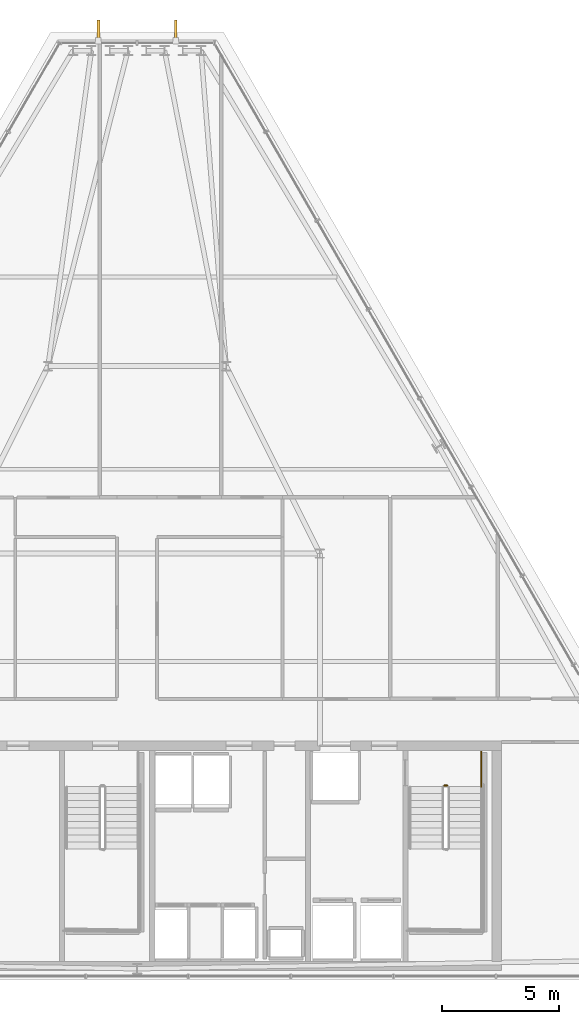
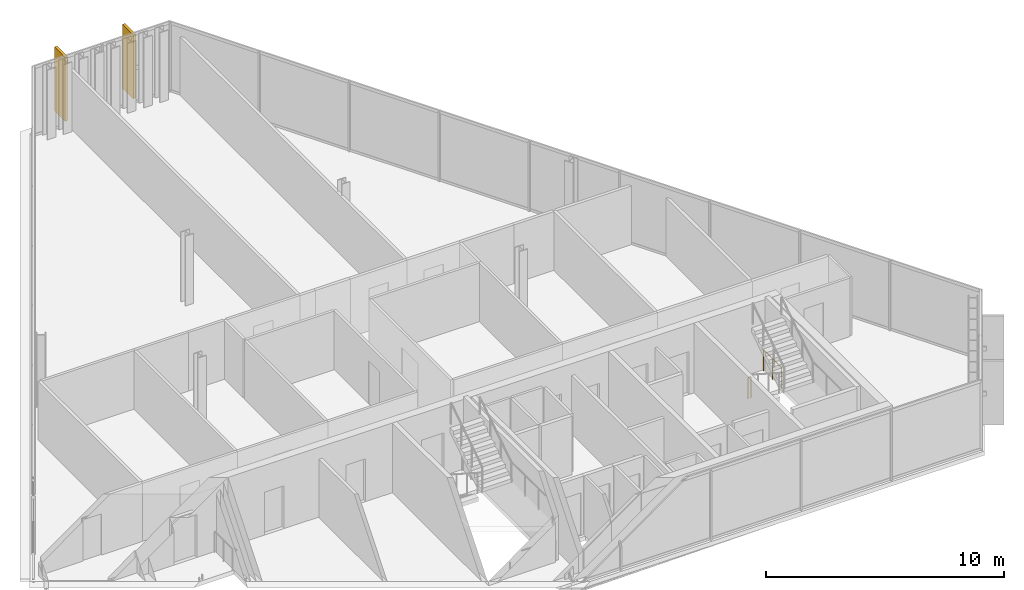
# One storey, part 29 of 29: 2 railings, 2 shading devices.
"""IFC4 building model written with IfcOpenShell, lengths in metres."""

from ifc_helpers import new_model, si_unit, direction, frame, origin, origin_2d, place, context, subcontext, project, spatial, rectangle, circle, extrude, material, layer, layer_set, type_object, element, save


model = new_model("IFC4")

# Units and contexts
model_context = context("Model", 3, precision=1e-05, world=origin(), true_north=direction((0.0, 1.0)))
body_context = subcontext(model_context, "Body", "Model", "MODEL_VIEW")
ifc_project = project(units=[si_unit("LENGTHUNIT", "METRE"), si_unit("AREAUNIT", "SQUARE_METRE"), si_unit("VOLUMEUNIT", "CUBIC_METRE"), si_unit("PLANEANGLEUNIT", "RADIAN"), si_unit("MASSUNIT", "GRAM", prefix="KILO")], contexts=[model_context])

# Site, building, storey
site_placement = place(None, origin())
site = spatial("IfcSite", under=ifc_project, at=site_placement, CompositionType="ELEMENT")
building_placement = place(site_placement, origin())
building = spatial("IfcBuilding", under=site, at=building_placement, Name="Ndaravel Arena Tower", CompositionType="ELEMENT")
storey_placement = place(building_placement, frame((0.0, 0.0, 240.800048828125)))
storey = spatial("IfcBuildingStorey", under=building, at=storey_placement, Name="L58", CompositionType="ELEMENT", Elevation=240.800048828125)

# Railings
ifc_material_1 = material(Name="Steel S355", Category="steel")
ifc_layer = layer(ifc_material_1, 0.06005859375)
ifc_layer_set = layer_set([ifc_layer], Name="Steel S355")
railing_type = type_object("IfcRailingType", Name="RAIL-STAIR-GD1100", PredefinedType="GUARDRAIL", material=ifc_layer_set)
railing_1_placement = place(storey_placement, frame((55.10009765625, 13.300048828125, 0.0)))
element("IfcRailing", 1, at=railing_1_placement, inside=storey, type_object=railing_type, Name="L58 ST-3 stair guard 4", PredefinedType="GUARDRAIL", context=body_context, shape_type="SweptSolid", body=[
    extrude(circle(Radius=0.02392578125, at=origin_2d()), frame((0.0, 0.0, 1.076171875), z_axis=(1.0, 0.0, 0.0), x_axis=(0.0, 1.0, 0.0)), (0.0, 0.0, 1.0), 0.139892578125),
    extrude(circle(Radius=0.02099609375, at=origin_2d()), origin(), (0.0, 0.0, 1.0), 1.052001953125),
    extrude(circle(Radius=0.02099609375, at=origin_2d()), frame((0.139892578125, 0.0, 0.0)), (0.0, 0.0, 1.0), 1.052001953125),
])
railing_2_placement = place(storey_placement, frame((56.68994140625, 14.75, 0.0)))
element("IfcRailing", 2, at=railing_2_placement, inside=storey, type_object=railing_type, Name="L58 ST-3 stair guard 5", PredefinedType="GUARDRAIL", context=body_context, shape_type="SweptSolid", body=[
    extrude(circle(Radius=0.02392578125, at=origin_2d()), frame((0.0, 0.0, 1.076171875), z_axis=(0.0, -1.0, 0.0), x_axis=(1.0, 0.0, 0.0)), (0.0, 0.0, 1.0), 1.5),
    extrude(circle(Radius=0.02099609375, at=origin_2d()), origin(), (0.0, 0.0, 1.0), 1.052001953125),
    extrude(circle(Radius=0.02099609375, at=origin_2d()), frame((0.0, -0.75, 0.0)), (0.0, 0.0, 1.0), 1.052001953125),
    extrude(circle(Radius=0.02099609375, at=origin_2d()), frame((0.0, -1.5, 0.0)), (0.0, 0.0, 1.0), 1.052001953125),
])

# Shading devices
ifc_material_2 = material(Name="Masonry", Category="masonry")
shading_device_type = type_object("IfcShadingDeviceType", Name="SHD-MAZERAS-FIN", PredefinedType="SHUTTER", material=ifc_material_2)
for number, where, z_axis, x_axis, name in (
    (3, (43.65185546875, 45.523681640625, 0.14990234375), (0.0, 0.0, 1.0), (0.0, 1.0, 0.0), "L58 Mazeras Stone Solar Fin E4.1"),
    (4, (40.34814453125, 45.523681640625, 0.14990234375), (0.0, 0.0, 1.0), (0.0, 1.0, 0.0), "L58 Mazeras Stone Solar Fin E4.2"),
):
    element("IfcShadingDevice", number, at=place(storey_placement, frame(where, z_axis=z_axis, x_axis=x_axis)), inside=storey, type_object=shading_device_type, Name=name, PredefinedType="SHUTTER", context=body_context, shape_type="SweptSolid", body=[
        extrude(rectangle(XDim=0.89990234375, YDim=0.1201171875, at=origin_2d()), origin(), (0.0, 0.0, 1.0), 3.280029296875),
    ])

save(model, "model.ifc")
